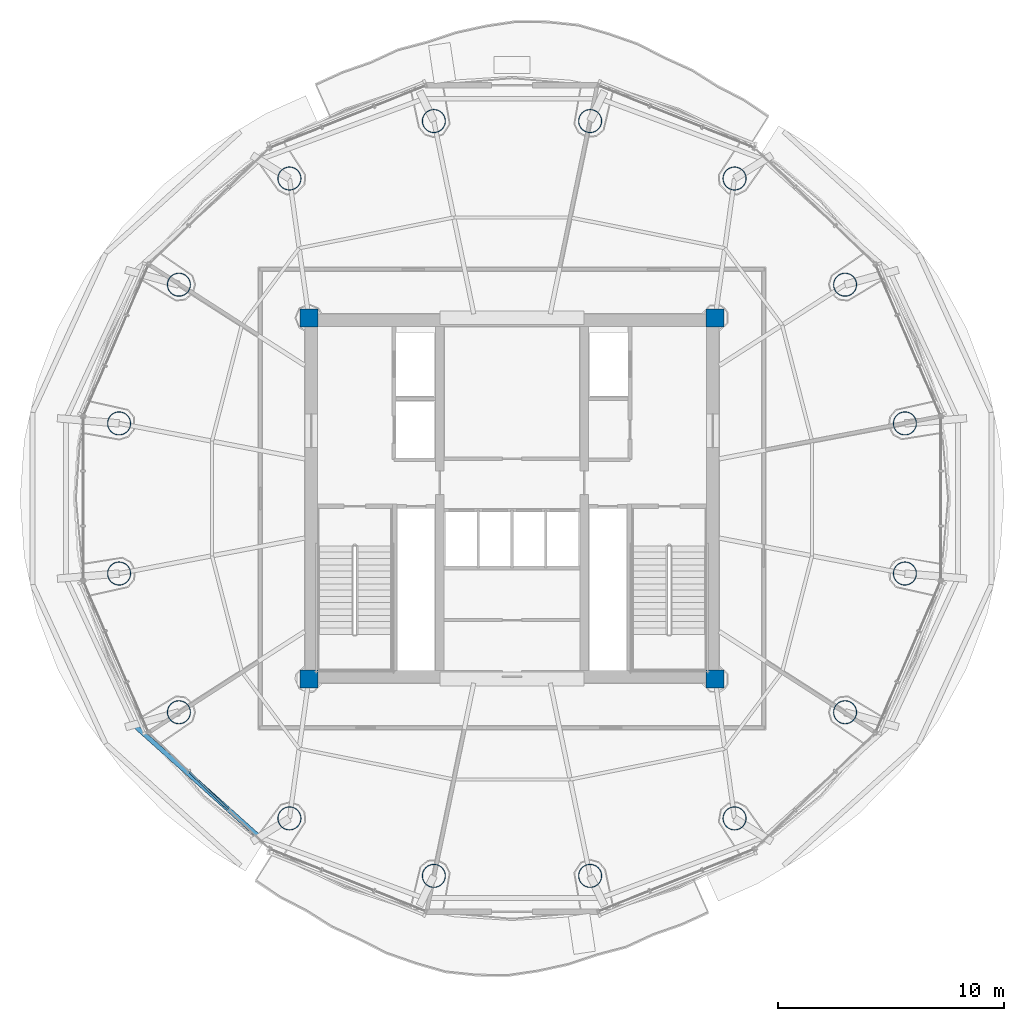
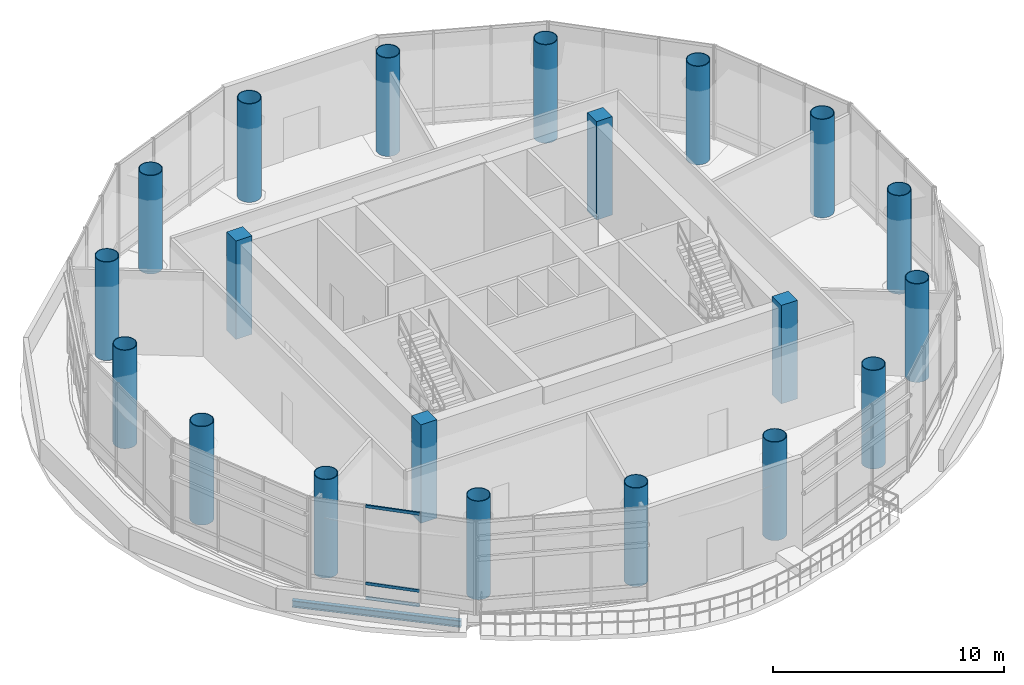
# One storey, part 1 of 22: 20 columns, 3 members, 1 beam, 1 element without a shape of its own.
"""IFC4 building model written with IfcOpenShell, lengths in metres."""

from ifc_helpers import new_model, si_unit, direction, frame, origin, origin_2d, place, context, subcontext, project, spatial, rectangle, hollow_rectangle, hollow_circle, i_section, extrude, source, transform, mapped, material, material_profile, profile_set, type_object, element, aggregate, save


model = new_model("IFC4")

# Units and contexts
model_context = context("Model", 3, precision=1e-05, world=origin(), true_north=direction((-0.2419218956, 0.970295726276)))
body_context = subcontext(model_context, "Body", "Model", "MODEL_VIEW")
ifc_project = project(units=[si_unit("LENGTHUNIT", "METRE"), si_unit("AREAUNIT", "SQUARE_METRE"), si_unit("VOLUMEUNIT", "CUBIC_METRE"), si_unit("PLANEANGLEUNIT", "RADIAN"), si_unit("MASSUNIT", "GRAM", prefix="KILO")], contexts=[model_context])

# Site, building, storey
site_placement = place(None, origin())
site = spatial("IfcSite", under=ifc_project, at=site_placement, CompositionType="ELEMENT")
building_placement = place(site_placement, origin())
building = spatial("IfcBuilding", under=site, at=building_placement, Name="Cobrevalo Terracotta Tower", CompositionType="ELEMENT")
storey_placement = place(building_placement, frame((0.0, 0.0, 243.0)))
storey = spatial("IfcBuildingStorey", under=building, at=storey_placement, Name="L64", CompositionType="ELEMENT", Elevation=243.0)

# Columns
ifc_material_1 = material(Name="Steel S355", Category="steel")
ifc_material_profile_1 = material_profile(ifc_material_1, hollow_circle(Radius=0.52490234375, WallThickness=0.034912109375, at=origin_2d()), Name="CHS 1050x35")
ifc_profile_set_1 = profile_set([ifc_material_profile_1], Name="Steel S355")
column_type_1 = type_object("IfcColumnType", Name="Structural Column CHS 1050x35 (Steel S355)", PredefinedType="COLUMN", material=ifc_profile_set_1)
for number, where, z_axis, x_axis, name in (
    (1, (55.408935546875, 30.126220703125, 0.0), (0.0, 0.0, 1.0), (1.0, 0.0, 0.0), "L64 composite megacolumn MC01"),
    (2, (52.758544921875, 36.2724609375, 0.0), (0.0, 0.0, 1.0), (1.0, 0.0, 0.0), "L64 composite megacolumn MC02"),
    (3, (47.861328125, 40.9765625, 0.0), (0.0, 0.0, 1.0), (1.0, 0.0, 0.0), "L64 composite megacolumn MC03"),
    (4, (41.462890625, 43.5224609375, 0.0), (0.0, 0.0, 1.0), (1.0, 0.0, 0.0), "L64 composite megacolumn MC04"),
    (5, (34.537109375, 43.5224609375, 0.0), (0.0, 0.0, 1.0), (1.0, 0.0, 0.0), "L64 composite megacolumn MC05"),
    (6, (28.138671875, 40.9765625, 0.0), (0.0, 0.0, 1.0), (1.0, 0.0, 0.0), "L64 composite megacolumn MC06"),
    (7, (23.241455078125, 36.2724609375, 0.0), (0.0, 0.0, 1.0), (1.0, 0.0, 0.0), "L64 composite megacolumn MC07"),
    (8, (20.591064453125, 30.126220703125, 0.0), (0.0, 0.0, 1.0), (1.0, 0.0, 0.0), "L64 composite megacolumn MC08"),
    (9, (20.591064453125, 23.4736328125, 0.0), (0.0, 0.0, 1.0), (1.0, 0.0, 0.0), "L64 composite megacolumn MC09"),
    (10, (23.241455078125, 17.32763671875, 0.0), (0.0, 0.0, 1.0), (1.0, 0.0, 0.0), "L64 composite megacolumn MC10"),
    (11, (28.138671875, 12.62353515625, 0.0), (0.0, 0.0, 1.0), (1.0, 0.0, 0.0), "L64 composite megacolumn MC11"),
    (12, (34.537109375, 10.07763671875, 0.0), (0.0, 0.0, 1.0), (1.0, 0.0, 0.0), "L64 composite megacolumn MC12"),
    (13, (41.462890625, 10.07763671875, 0.0), (0.0, 0.0, 1.0), (1.0, 0.0, 0.0), "L64 composite megacolumn MC13"),
    (14, (47.861328125, 12.62353515625, 0.0), (0.0, 0.0, 1.0), (1.0, 0.0, 0.0), "L64 composite megacolumn MC14"),
    (15, (52.758544921875, 17.32763671875, 0.0), (0.0, 0.0, 1.0), (1.0, 0.0, 0.0), "L64 composite megacolumn MC15"),
    (16, (55.408935546875, 23.4736328125, 0.0), (0.0, 0.0, 1.0), (1.0, 0.0, 0.0), "L64 composite megacolumn MC16"),
):
    element("IfcColumn", number, at=place(storey_placement, frame(where, z_axis=z_axis, x_axis=x_axis)), inside=storey, type_object=column_type_1, Name=name, PredefinedType="COLUMN", context=body_context, shape_type="SweptSolid", body=[
        extrude(hollow_circle(Radius=0.52490234375, WallThickness=0.034912109375, at=origin_2d()), origin(), (0.0, 0.0, 1.0), 5.199951171875),
    ])
ifc_material_2 = material(Name="Concrete C50", Category="concrete")
ifc_material_profile_2 = material_profile(ifc_material_2, rectangle(XDim=0.800048828125, YDim=0.800048828125, at=origin_2d()), Name="RC COL 800x800")
ifc_profile_set_2 = profile_set([ifc_material_profile_2], Name="Concrete C50")
column_type_2 = type_object("IfcColumnType", Name="Structural Column RC COL 800x800 (Concrete C50)", PredefinedType="COLUMN", material=ifc_profile_set_2)
for number, where, z_axis, x_axis, name in (
    (17, (29.0, 18.800048828125, 0.0), (0.0, 0.0, 1.0), (1.0, 0.0, 0.0), "L64 core corner column CC1"),
    (18, (47.0, 18.800048828125, 0.0), (0.0, 0.0, 1.0), (1.0, 0.0, 0.0), "L64 core corner column CC2"),
    (19, (47.0, 34.800048828125, 0.0), (0.0, 0.0, 1.0), (1.0, 0.0, 0.0), "L64 core corner column CC3"),
    (20, (29.0, 34.800048828125, 0.0), (0.0, 0.0, 1.0), (1.0, 0.0, 0.0), "L64 core corner column CC4"),
):
    element("IfcColumn", number, at=place(storey_placement, frame(where, z_axis=z_axis, x_axis=x_axis)), inside=storey, type_object=column_type_2, Name=name, PredefinedType="COLUMN", context=body_context, shape_type="SweptSolid", body=[
        extrude(rectangle(XDim=0.800048828125, YDim=0.800048828125, at=origin_2d()), origin(), (0.0, 0.0, 1.0), 5.199951171875),
    ])

# Beam
ifc_material_profile_3 = material_profile(ifc_material_1, i_section(OverallWidth=0.205078125, OverallDepth=0.35400390625, WebThickness=0.009521484375, FlangeThickness=0.016845703125, at=origin_2d()), Name="W 360x79")
ifc_profile_set_3 = profile_set([ifc_material_profile_3], Name="Steel S355")
beam_type = type_object("IfcBeamType", Name="Structural Spandrel W 360x79 (Steel S355)", PredefinedType="SPANDREL", material=ifc_profile_set_3)
beam_placement = place(storey_placement, frame((21.245849609375, 16.77197265625, -0.626953125), z_axis=(0.744851930997, -0.667229796165, 0.0), x_axis=(0.667229796165, 0.744851930997, 0.0)))
element("IfcBeam", 21, at=beam_placement, inside=storey, type_object=beam_type, Name="L64 perimeter ring spandrel 10", PredefinedType="SPANDREL", context=body_context, shape_type="SweptSolid", body=[
    extrude(i_section(OverallWidth=0.205078125, OverallDepth=0.35400390625, WebThickness=0.009521484375, FlangeThickness=0.016845703125, at=origin_2d()), origin(), (0.0, 0.0, 1.0), 7.463623046875),
])

# Curtain wall, members
ifc_material_3 = material(Name="Anodized aluminium", Category="aluminium")
curtain_wall_type = type_object("IfcCurtainWallType", Name="Double-height sky-lobby panoramic curtain wall CW-SK", PredefinedType="NOTDEFINED", material=ifc_material_3)
curtain_wall_placement = place(storey_placement, origin())
curtain_wall = element("IfcCurtainWall", 22, at=curtain_wall_placement, inside=storey, type_object=curtain_wall_type, Name="L64 curtain wall CW-SK-L64-S10", PredefinedType="NOTDEFINED")
ifc_material_profile_4 = material_profile(ifc_material_3, hollow_rectangle(XDim=0.074951171875, YDim=0.14990234375, WallThickness=0.00439453125, at=origin_2d()), Name="CWT 75x150")
ifc_profile_set_4 = profile_set([ifc_material_profile_4], Name="Anodized aluminium")
member_type = type_object("IfcMemberType", Name="Tower unitised aluminium transom 75x150", PredefinedType="USERDEFINED", material=ifc_profile_set_4)
shared_shape = source(origin(), body_context, "Body", "SweptSolid", [
    extrude(hollow_rectangle(XDim=0.074951171875, YDim=0.14990234375, WallThickness=0.00439453125, at=origin_2d()), origin(), (0.0, 0.0, 1.0), 2.39404296875),
])
member_1_placement = place(storey_placement, frame((23.70458984375, 14.6826171875, 0.050048828125), z_axis=(0.720038981652, -0.693933617071, 0.0), x_axis=(0.693933617071, 0.720038981652, 0.0)))
member_1 = element("IfcMember", 23, at=member_1_placement, type_object=member_type, Name="CW-SK-L64-S10 transom B02-T1", ObjectType="TRANSOM", PredefinedType="USERDEFINED", context=body_context, shape_type="MappedRepresentation", body=[
    mapped(shared_shape, transform((0.0, 0.0, 0.0), scale=1.0)),
])
member_2_placement = place(storey_placement, frame((23.70458984375, 14.6826171875, 0.820068359375), z_axis=(0.720038981652, -0.693933617071, 0.0), x_axis=(0.693933617071, 0.720038981652, 0.0)))
member_2 = element("IfcMember", 24, at=member_2_placement, type_object=member_type, Name="CW-SK-L64-S10 transom B02-T2", ObjectType="TRANSOM", PredefinedType="USERDEFINED", context=body_context, shape_type="MappedRepresentation", body=[
    mapped(shared_shape, transform((0.0, 0.0, 0.0), scale=1.0)),
])
member_3_placement = place(storey_placement, frame((23.70458984375, 14.6826171875, 4.889892578125), z_axis=(0.720038981652, -0.693933617071, 0.0), x_axis=(0.693933617071, 0.720038981652, 0.0)))
member_3 = element("IfcMember", 25, at=member_3_placement, type_object=member_type, Name="CW-SK-L64-S10 transom B02-T3", ObjectType="TRANSOM", PredefinedType="USERDEFINED", context=body_context, shape_type="MappedRepresentation", body=[
    mapped(shared_shape, transform((0.0, 0.0, 0.0), scale=1.0)),
])
aggregate(curtain_wall, [member_1, member_2, member_3])

save(model, "model.ifc")
